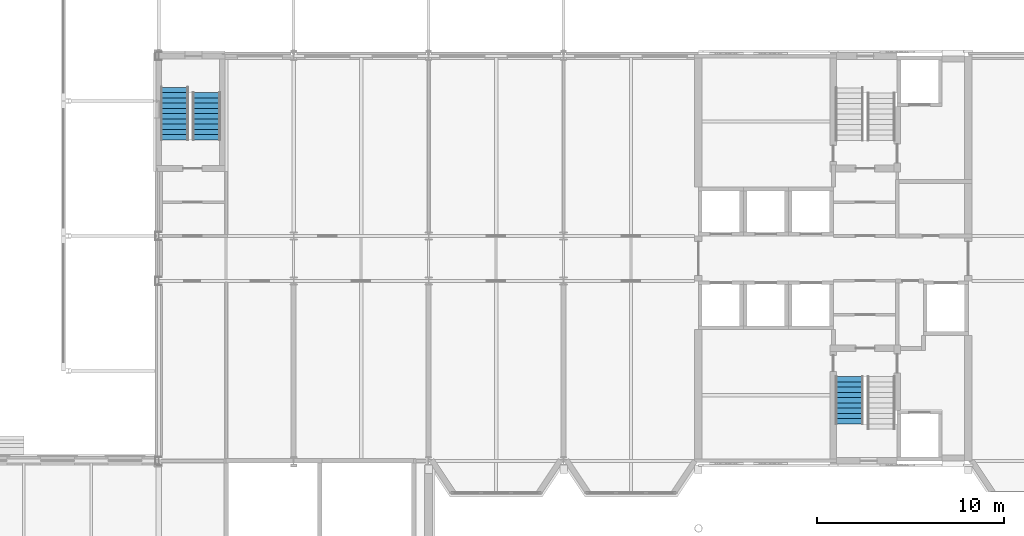
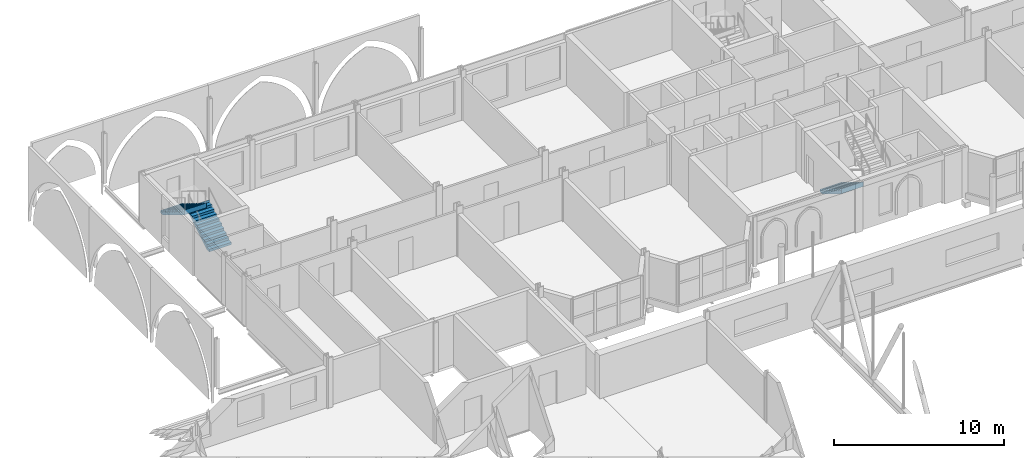
# One storey, part 106 of 142: 3 stair flights, 2 elements without a shape of their own.
"""IFC4 building model written with IfcOpenShell, lengths in metres."""

import ifcopenshell
import ifcopenshell.guid

model = None  # the IFC model being written
_history = None  # IfcOwnerHistory: only IFC2X3 demands one
_inside = {}  # id of a spatial element -> (the spatial element, [elements in it])
_under = {}  # id of a project, library or spatial element -> (it, [spatial elements below it])
_declared = {}  # id of a project -> (the project, [libraries it declares])
_typed = {}  # id of a type object -> (the type object, [elements of that type])
_made_of = {}  # id of a material, layer set ... -> (it, [elements and type objects made of it])


def new_model(schema):
    """Start an empty IFC model of exactly this schema.

    Asked for "IFC4X3", IfcOpenShell would pick the latest addendum, in which some entities
    have other attributes; the version numbers below select the first issue.
    IFC2X3 requires an IfcOwnerHistory on every rooted entity: one is made here for all.
    """
    global model, _history
    if schema == "IFC4X3":
        model = ifcopenshell.file(schema_version=(4, 3, 0, 0))
    else:
        model = ifcopenshell.file(schema=schema)
    _inside.clear()
    _under.clear()
    _declared.clear()
    _typed.clear()
    _made_of.clear()
    _history = None
    if model.schema == "IFC2X3":
        org = make("IfcOrganization", Name="unknown")
        user = make(
            "IfcPersonAndOrganization",
            ThePerson=make("IfcPerson", FamilyName="unknown"),
            TheOrganization=org,
        )
        app = make(
            "IfcApplication",
            ApplicationDeveloper=org,
            Version="unknown",
            ApplicationFullName="unknown",
            ApplicationIdentifier="unknown",
        )
        _history = make(
            "IfcOwnerHistory",
            OwningUser=user,
            OwningApplication=app,
            ChangeAction="ADDED",
            CreationDate=0,
        )
    return model


def make(cls, **values):
    """One entity of the class cls with the attributes given. An attribute that is None is left unset."""
    return model.create_entity(
        cls, **{name: value for name, value in values.items() if value is not None}
    )


def rooted(cls, **values):
    """An entity with a GlobalId (a new one), such as an element, a storey or a relation."""
    return make(cls, GlobalId=ifcopenshell.guid.new(), OwnerHistory=_history, **values)


def si_unit(unit_type, name, prefix=None):
    """IfcSIUnit, for example si_unit("LENGTHUNIT", "METRE", prefix="MILLI")."""
    return make("IfcSIUnit", UnitType=unit_type, Prefix=prefix, Name=name)


def assignment(units):
    """IfcUnitAssignment: the units of a project."""
    return None if units is None else make("IfcUnitAssignment", Units=units)


def point(xyz):
    """IfcCartesianPoint."""
    return None if xyz is None else make("IfcCartesianPoint", Coordinates=xyz)


def direction(xyz):
    """IfcDirection."""
    return None if xyz is None else make("IfcDirection", DirectionRatios=xyz)


def frame(location, z_axis=None, x_axis=None):
    """IfcAxis2Placement3D, a coordinate frame: its origin and axes. An axis left out is left unset."""
    return make(
        "IfcAxis2Placement3D",
        Location=point(location),
        Axis=direction(z_axis),
        RefDirection=direction(x_axis),
    )


def origin():
    """The frame at (0, 0, 0) with its axes left unset."""
    return frame((0.0, 0.0, 0.0))


def place(relative_to, where):
    """IfcLocalPlacement: puts the frame where relative to a parent placement (None: the world)."""
    return make(
        "IfcLocalPlacement", PlacementRelTo=relative_to, RelativePlacement=where
    )


def context(
    kind, dimensions, precision=None, world=None, true_north=None, identifier=None
):
    """IfcGeometricRepresentationContext, for example the 3D "Model" context."""
    return make(
        "IfcGeometricRepresentationContext",
        ContextIdentifier=identifier,
        ContextType=kind,
        CoordinateSpaceDimension=dimensions,
        Precision=precision,
        WorldCoordinateSystem=world,
        TrueNorth=true_north,
    )


def subcontext(parent, identifier, kind, view, scale=None):
    """IfcGeometricRepresentationSubContext, for example "Body" below "Model"."""
    return make(
        "IfcGeometricRepresentationSubContext",
        ContextIdentifier=identifier,
        ContextType=kind,
        ParentContext=parent,
        TargetScale=scale,
        TargetView=view,
    )


def project(units=None, contexts=None):
    """IfcProject with its units and contexts."""
    return rooted(
        "IfcProject",
        Name="project",
        RepresentationContexts=contexts,
        UnitsInContext=assignment(units),
    )


def spatial(cls, under=None, at=None, **own):
    """A site, building, storey or space (cls), placed at a placement, below another one or the project."""
    s = rooted(cls, ObjectPlacement=at, **own)
    if under is not None:
        _under.setdefault(under.id(), (under, []))[1].append(s)
    return s


def polyline(points):
    """IfcPolyline through the points."""
    return make("IfcPolyline", Points=[point(p) for p in points])


def outline(outer, holes=None, kind="AREA"):
    """IfcArbitraryClosedProfileDef: a profile drawn as a closed curve; with holes, ...WithVoids."""
    if holes is None:
        return make("IfcArbitraryClosedProfileDef", ProfileType=kind, OuterCurve=outer)
    return make(
        "IfcArbitraryProfileDefWithVoids",
        ProfileType=kind,
        OuterCurve=outer,
        InnerCurves=holes,
    )


def extrude(swept, where, along, depth):
    """IfcExtrudedAreaSolid: the profile swept, set in the frame where, extruded along a direction by depth."""
    return make(
        "IfcExtrudedAreaSolid",
        SweptArea=swept,
        Position=where,
        ExtrudedDirection=direction(along),
        Depth=depth,
    )


def shape(context_of_items, identifier, shape_type, items):
    """IfcShapeRepresentation: the items that make up one representation, for example the "Body"."""
    return make(
        "IfcShapeRepresentation",
        ContextOfItems=context_of_items,
        RepresentationIdentifier=identifier,
        RepresentationType=shape_type,
        Items=items,
    )


def material(Name=None, Category=None):
    """IfcMaterial."""
    return make("IfcMaterial", Name=Name, Category=Category)


def made_of(thing, what):
    """Note that an element or type object is made of a material, layer set ...; save() writes the relation."""
    if what is not None:
        _made_of.setdefault(what.id(), (what, []))[1].append(thing)
    return thing


def type_object(cls, material=None, **own):
    """A type object (cls), such as IfcWallType, which elements share."""
    return made_of(rooted(cls, **own), material)


def element(
    cls,
    number,
    at=None,
    inside=None,
    cuts=None,
    type_object=None,
    material=None,
    context=None,
    identifier="Body",
    shape_type=None,
    held_by="IfcProductDefinitionShape",
    body=None,
    shapes=None,
    **own,
):
    """One element of the class cls, such as IfcWall. Its Tag is "e" and its number.

    at: its placement. inside: the storey or other place that contains it. cuts: it is an
    opening in that element (IfcRelVoidsElement). A single representation is given by context,
    identifier, shape_type and body (its items); several are given by shapes. held_by: the class
    of the entity that holds the representations. save() writes the other relations.
    """
    e = rooted(cls, Tag="e%d" % number, ObjectPlacement=at, **own)
    if body is not None:
        shapes = [shape(context, identifier, shape_type, body)]
    if shapes is not None:
        e.Representation = make(held_by, Representations=shapes)
    if inside is not None:
        _inside.setdefault(inside.id(), (inside, []))[1].append(e)
    if cuts is not None:
        rooted(
            "IfcRelVoidsElement", RelatingBuildingElement=cuts, RelatedOpeningElement=e
        )
    if type_object is not None:
        _typed.setdefault(type_object.id(), (type_object, []))[1].append(e)
    return made_of(e, material)


def aggregate(whole, parts):
    """IfcRelAggregates: a whole, such as a stair, and the parts it consists of."""
    return rooted("IfcRelAggregates", RelatingObject=whole, RelatedObjects=parts)


def save(model, path):
    """Write the relations noted so far, then the file.

    IfcRelAggregates (storeys below a building ...), IfcRelContainedInSpatialStructure (elements
    in a storey), IfcRelDefinesByType, IfcRelAssociatesMaterial and IfcRelDeclares: one each for
    every whole, place, type object, material and project.
    """
    for whole, parts in _under.values():
        aggregate(whole, parts)
    for where, things in _inside.values():
        rooted(
            "IfcRelContainedInSpatialStructure",
            RelatedElements=things,
            RelatingStructure=where,
        )
    for kind, things in _typed.values():
        rooted("IfcRelDefinesByType", RelatedObjects=things, RelatingType=kind)
    for what, things in _made_of.values():
        rooted("IfcRelAssociatesMaterial", RelatedObjects=things, RelatingMaterial=what)
    for by, libraries in _declared.values():
        rooted("IfcRelDeclares", RelatingContext=by, RelatedDefinitions=libraries)
    model.write(path)


model = new_model("IFC4")

# Units and contexts
model_context = context("Model", 3, precision=1e-05, world=origin(), true_north=direction((0.0, 1.0)))
body_context = subcontext(model_context, "Body", "Model", "MODEL_VIEW")
ifc_project = project(units=[si_unit("LENGTHUNIT", "METRE"), si_unit("AREAUNIT", "SQUARE_METRE"), si_unit("VOLUMEUNIT", "CUBIC_METRE"), si_unit("PLANEANGLEUNIT", "RADIAN"), si_unit("MASSUNIT", "GRAM", prefix="KILO")], contexts=[model_context])

# Site, building, storey
site_placement = place(None, origin())
site = spatial("IfcSite", under=ifc_project, at=site_placement, CompositionType="ELEMENT")
building_placement = place(site_placement, origin())
building = spatial("IfcBuilding", under=site, at=building_placement, Name="Kupolbacken Congress Centre", CompositionType="ELEMENT")
storey_placement = place(building_placement, frame((0.0, 0.0, 14.39990234375)))
storey = spatial("IfcBuildingStorey", under=building, at=storey_placement, Name="L04", CompositionType="ELEMENT", Elevation=14.39990234375)

# Stair, stair flight
ifc_material_1 = material(Name="Steel S355", Category="steel")
stair_type = type_object("IfcStairType", Name="ST2 stair 1500", PredefinedType="TWO_STRAIGHT_RUN_STAIR", material=ifc_material_1)
stair_1_placement = place(storey_placement, origin())
stair_1 = element("IfcStair", 1, at=stair_1_placement, inside=storey, type_object=stair_type, Name="C/stair/TS1/L04", PredefinedType="NOTDEFINED")
ifc_material_2 = material(Name="Steel S355", Category="steel")
stair_flight_type_1 = type_object("IfcStairFlightType", Name="FL3 stair flight 1500 x 10 risers", PredefinedType="STRAIGHT", material=ifc_material_2)
stair_flight_1_placement = place(storey_placement, frame((101.64990234375, 126.89501953125, 0.0), z_axis=(0.0, 0.0, 1.0), x_axis=(0.0, -1.0, 0.0)))
stair_flight_1 = element("IfcStairFlight", 2, at=stair_flight_1_placement, type_object=stair_flight_type_1, Name="TS1 flight 1", NumberOfRisers=10, NumberOfTreads=9, PredefinedType="STRAIGHT", RiserHeight=0.171428571, TreadLength=0.28, context=body_context, shape_type="SweptSolid", body=[
    extrude(outline(polyline([(0.0, 0.0), (0.0, 0.0009765625), (0.0, 0.002197265625), (0.0, 0.003173828125), (0.0, 0.004150390625), (0.0, 0.00537109375), (0.0, 0.00634765625), (0.0, 0.007568359375), (0.0, 0.008544921875), (0.0, 0.009521484375), (0.0, 0.0107421875), (0.0, 0.01171875), (0.0, 0.0126953125), (0.0, 0.013916015625), (0.0, 0.014892578125), (0.0, 0.015869140625), (0.0, 0.01708984375), (0.0, 0.01806640625), (0.0, 0.019287109375), (0.0, 0.020263671875), (0.0, 0.021240234375), (0.0, 0.0224609375), (0.0, 0.0234375), (0.0, 0.0244140625), (0.0, 0.025634765625), (0.0, 0.026611328125), (0.0, 0.027587890625), (0.0, 0.02880859375), (0.0, 0.02978515625), (0.0, 0.03076171875), (0.0, 0.031982421875), (0.0, 0.032958984375), (0.0, 0.0341796875), (0.0, 0.03515625), (0.0, 0.0361328125), (0.0, 0.037353515625), (0.0, 0.038330078125), (0.0, 0.039306640625), (0.0, 0.04052734375), (0.0, 0.04150390625), (0.0, 0.04248046875), (0.0, 0.043701171875), (0.0, 0.044677734375), (0.0, 0.0458984375), (0.0, 0.046875), (0.0, 0.0478515625), (0.0, 0.049072265625), (0.0, 0.050048828125), (0.0, 0.051025390625), (0.0, 0.05224609375), (0.0, 0.05322265625), (0.0, 0.05419921875), (0.0, 0.055419921875), (0.0, 0.056396484375), (0.0, 0.0576171875), (0.0, 0.05859375), (0.0, 0.0595703125), (0.0, 0.060791015625), (0.0, 0.061767578125), (0.0, 0.062744140625), (0.0, 0.06396484375), (0.0, 0.06494140625), (0.0, 0.06591796875), (0.0, 0.067138671875), (0.0, 0.068115234375), (0.0, 0.069091796875), (0.0, 0.0703125), (0.0, 0.0712890625), (0.0, 0.072509765625), (0.0, 0.073486328125), (0.0, 0.074462890625), (0.0, 0.07568359375), (0.0, 0.07666015625), (0.0, 0.07763671875), (0.0, 0.078857421875), (0.0, 0.079833984375), (0.0, 0.080810546875), (0.0, 0.08203125), (0.0, 0.0830078125), (0.0, 0.084228515625), (0.0, 0.085205078125), (0.0, 0.086181640625), (0.0, 0.08740234375), (0.0, 0.08837890625), (0.0, 0.08935546875), (0.0, 0.090576171875), (0.0, 0.091552734375), (0.0, 0.092529296875), (0.0, 0.09375), (0.0, 0.0947265625), (0.0, 0.095947265625), (0.0, 0.096923828125), (0.0, 0.097900390625), (0.0, 0.09912109375), (0.0, 0.10009765625), (0.0, 0.10107421875), (0.0, 0.102294921875), (0.0, 0.103271484375), (0.0, 0.104248046875), (0.0, 0.10546875), (0.0, 0.1064453125), (0.0, 0.107421875), (0.0, 0.108642578125), (0.0, 0.109619140625), (0.0, 0.11083984375), (0.0, 0.11181640625), (0.0, 0.11279296875), (0.0, 0.114013671875), (0.0, 0.114990234375), (0.0, 0.115966796875), (0.0, 0.1171875), (0.0, 0.1181640625), (0.0, 0.119140625), (0.0, 0.120361328125), (0.0, 0.121337890625), (0.0, 0.12255859375), (0.0, 0.12353515625), (0.0, 0.12451171875), (0.0, 0.125732421875), (0.0, 0.126708984375), (0.0, 0.127685546875), (0.0, 0.12890625), (0.0, 0.1298828125), (0.0, 0.130859375), (0.0, 0.132080078125), (0.0, 0.133056640625), (0.0, 0.13427734375), (0.0, 0.13525390625), (0.0, 0.13623046875), (0.0, 0.137451171875), (0.0, 0.138427734375), (0.0, 0.139404296875), (0.0, 0.140625), (0.0, 0.1416015625), (0.0, 0.142578125), (0.0, 0.143798828125), (0.0, 0.144775390625), (0.0, 0.145751953125), (0.0, 0.14697265625), (0.0, 0.14794921875), (0.0, 0.149169921875), (0.0, 0.150146484375), (0.0, 0.151123046875), (0.0, 0.15234375), (0.0, 0.1533203125), (0.0, 0.154296875), (0.0, 0.155517578125), (0.0, 0.156494140625), (0.0, 0.157470703125), (0.0, 0.15869140625), (0.0, 0.15966796875), (0.0, 0.160888671875), (0.0, 0.161865234375), (0.0, 0.162841796875), (0.0, 0.1640625), (0.0, 0.1650390625), (0.0, 0.166015625), (0.0, 0.167236328125), (0.0, 0.168212890625), (0.0, 0.169189453125), (0.0, 0.17041015625), (0.0, 0.17138671875), (0.280029296875, 0.17138671875), (0.280029296875, 0.3427734375), (0.56005859375, 0.3427734375), (0.56005859375, 0.514404296875), (0.840087890625, 0.514404296875), (0.840087890625, 0.685791015625), (1.1201171875, 0.685791015625), (1.1201171875, 0.857177734375), (1.39990234375, 0.857177734375), (1.39990234375, 1.028564453125), (1.679931640625, 1.028564453125), (1.679931640625, 1.199951171875), (1.9599609375, 1.199951171875), (1.9599609375, 1.371337890625), (2.239990234375, 1.371337890625), (2.239990234375, 1.54296875), (2.52001953125, 1.54296875), (2.52001953125, 1.71435546875), (2.52197265625, 1.71435546875), (2.52197265625, 1.712158203125), (2.52197265625, 1.7099609375), (2.52197265625, 1.707763671875), (2.52197265625, 1.70556640625), (2.52197265625, 1.70361328125), (2.52197265625, 1.701416015625), (2.52197265625, 1.69921875), (2.52197265625, 1.697021484375), (2.52197265625, 1.69482421875), (2.52197265625, 1.692626953125), (2.52197265625, 1.690673828125), (2.52197265625, 1.6884765625), (2.52197265625, 1.686279296875), (2.52197265625, 1.68408203125), (2.52197265625, 1.681884765625), (2.52197265625, 1.6796875), (2.52197265625, 1.677734375), (2.52197265625, 1.675537109375), (2.52197265625, 1.67333984375), (2.52197265625, 1.671142578125), (2.52197265625, 1.6689453125), (2.52197265625, 1.666748046875), (2.52197265625, 1.664794921875), (2.52197265625, 1.66259765625), (2.52197265625, 1.660400390625), (2.52197265625, 1.658203125), (2.52197265625, 1.656005859375), (2.52197265625, 1.65380859375), (2.52197265625, 1.65185546875), (2.52197265625, 1.649658203125), (2.52197265625, 1.6474609375), (2.52197265625, 1.645263671875), (2.52197265625, 1.64306640625), (2.52197265625, 1.640869140625), (2.52197265625, 1.638916015625), (2.52197265625, 1.63671875), (2.52197265625, 1.634521484375), (2.52197265625, 1.63232421875), (2.52197265625, 1.630126953125), (2.52197265625, 1.6279296875), (2.52197265625, 1.6259765625), (2.52197265625, 1.623779296875), (2.52197265625, 1.62158203125), (2.52197265625, 1.619384765625), (2.52197265625, 1.6171875), (2.52197265625, 1.614990234375), (2.52197265625, 1.613037109375), (2.52197265625, 1.61083984375), (2.52197265625, 1.608642578125), (2.52197265625, 1.6064453125), (2.52197265625, 1.604248046875), (2.52197265625, 1.60205078125), (2.52197265625, 1.60009765625), (2.52197265625, 1.597900390625), (2.52197265625, 1.595703125), (2.52197265625, 1.593505859375), (2.52197265625, 1.59130859375), (2.52197265625, 1.589111328125), (2.52197265625, 1.587158203125), (2.52197265625, 1.5849609375), (2.52197265625, 1.582763671875), (2.52197265625, 1.58056640625), (2.52197265625, 1.578369140625), (2.52197265625, 1.576171875), (2.52197265625, 1.57421875), (2.52197265625, 1.572021484375), (2.52197265625, 1.56982421875), (2.52197265625, 1.567626953125), (2.52197265625, 1.5654296875), (2.52197265625, 1.563232421875), (2.52197265625, 1.561279296875), (2.52197265625, 1.55908203125), (2.52197265625, 1.556884765625), (2.52197265625, 1.5546875), (2.52197265625, 1.552490234375), (2.52197265625, 1.55029296875), (2.52197265625, 1.54833984375), (2.52197265625, 1.546142578125), (2.52197265625, 1.5439453125), (2.52197265625, 1.541748046875), (2.52197265625, 1.53955078125), (2.52197265625, 1.537353515625), (2.52197265625, 1.535400390625), (2.52197265625, 1.533203125), (2.52197265625, 1.531005859375), (2.52197265625, 1.52880859375), (2.52197265625, 1.526611328125), (2.52197265625, 1.5244140625), (2.52197265625, 1.5224609375), (2.52197265625, 1.520263671875), (2.52197265625, 1.51806640625), (2.52197265625, 1.515869140625), (2.52197265625, 1.513671875), (2.52197265625, 1.511474609375), (2.52197265625, 1.509521484375), (2.52197265625, 1.50732421875), (2.52197265625, 1.505126953125), (2.52197265625, 1.5029296875), (2.52197265625, 1.500732421875), (2.52197265625, 1.49853515625), (2.52197265625, 1.49658203125), (2.52197265625, 1.494384765625), (2.52197265625, 1.4921875), (2.52197265625, 1.489990234375), (2.52197265625, 1.48779296875), (2.52197265625, 1.485595703125), (2.52197265625, 1.483642578125), (2.52197265625, 1.4814453125), (2.52197265625, 1.479248046875), (2.52197265625, 1.47705078125), (2.52197265625, 1.474853515625), (2.52197265625, 1.47265625), (2.52197265625, 1.470703125), (2.52197265625, 1.468505859375), (2.52197265625, 1.46630859375), (2.52197265625, 1.464111328125), (2.52197265625, 1.4619140625), (2.52197265625, 1.459716796875), (2.52197265625, 1.457763671875), (2.52197265625, 1.45556640625), (2.52197265625, 1.453369140625), (2.52197265625, 1.451171875), (2.52197265625, 1.448974609375), (2.52197265625, 1.44677734375), (2.52197265625, 1.44482421875), (2.52197265625, 1.442626953125), (2.52197265625, 1.4404296875), (2.52197265625, 1.438232421875), (2.52197265625, 1.43603515625), (2.52197265625, 1.433837890625), (2.52197265625, 1.431884765625), (2.52197265625, 1.4296875), (2.52197265625, 1.427490234375), (2.52197265625, 1.42529296875), (2.52197265625, 1.423095703125), (2.52197265625, 1.4208984375), (2.52197265625, 1.4189453125), (2.52197265625, 1.416748046875), (2.52197265625, 1.41455078125), (2.52197265625, 1.412353515625), (2.52197265625, 1.41015625), (2.52197265625, 1.407958984375), (2.52197265625, 1.406005859375), (2.52197265625, 1.40380859375), (2.52197265625, 1.401611328125), (2.52197265625, 1.3994140625), (2.52197265625, 1.397216796875), (2.52197265625, 1.39501953125), (2.52197265625, 1.39306640625), (2.52197265625, 1.390869140625), (2.52197265625, 1.388671875), (2.52197265625, 1.386474609375), (2.52197265625, 1.38427734375), (2.52197265625, 1.382080078125), (2.52197265625, 1.380126953125), (2.52197265625, 1.3779296875), (2.52197265625, 1.375732421875), (2.52197265625, 1.37353515625), (2.52197265625, 1.371337890625), (2.52197265625, 1.369140625), (2.52197265625, 1.3671875), (0.2890625, 0.0), (0.0, 0.0)])), frame((0.0, 0.75, 0.0), z_axis=(0.0, -1.0, 0.0), x_axis=(1.0, 0.0, 0.0)), (0.0, 0.0, 1.0), 1.5),
])
aggregate(stair_1, [stair_flight_1])

# Stair, stair flights
stair_2_placement = place(storey_placement, origin())
stair_2 = element("IfcStair", 3, at=stair_2_placement, inside=storey, type_object=stair_type, Name="C/stair/TS3/L04", PredefinedType="NOTDEFINED")
stair_flight_2_placement = place(storey_placement, frame((67.35009765625, 139.530029296875, 0.0), z_axis=(0.0, 0.0, 1.0), x_axis=(0.0, 1.0, 0.0)))
stair_flight_2 = element("IfcStairFlight", 4, at=stair_flight_2_placement, type_object=stair_flight_type_1, Name="TS3 flight 1", NumberOfRisers=10, NumberOfTreads=9, PredefinedType="STRAIGHT", RiserHeight=0.171428571, TreadLength=0.28, context=body_context, shape_type="SweptSolid", body=[
    extrude(outline(polyline([(0.0, 0.0), (0.0, 0.0009765625), (0.0, 0.002197265625), (0.0, 0.003173828125), (0.0, 0.004150390625), (0.0, 0.00537109375), (0.0, 0.00634765625), (0.0, 0.007568359375), (0.0, 0.008544921875), (0.0, 0.009521484375), (0.0, 0.0107421875), (0.0, 0.01171875), (0.0, 0.0126953125), (0.0, 0.013916015625), (0.0, 0.014892578125), (0.0, 0.015869140625), (0.0, 0.01708984375), (0.0, 0.01806640625), (0.0, 0.019287109375), (0.0, 0.020263671875), (0.0, 0.021240234375), (0.0, 0.0224609375), (0.0, 0.0234375), (0.0, 0.0244140625), (0.0, 0.025634765625), (0.0, 0.026611328125), (0.0, 0.027587890625), (0.0, 0.02880859375), (0.0, 0.02978515625), (0.0, 0.03076171875), (0.0, 0.031982421875), (0.0, 0.032958984375), (0.0, 0.0341796875), (0.0, 0.03515625), (0.0, 0.0361328125), (0.0, 0.037353515625), (0.0, 0.038330078125), (0.0, 0.039306640625), (0.0, 0.04052734375), (0.0, 0.04150390625), (0.0, 0.04248046875), (0.0, 0.043701171875), (0.0, 0.044677734375), (0.0, 0.0458984375), (0.0, 0.046875), (0.0, 0.0478515625), (0.0, 0.049072265625), (0.0, 0.050048828125), (0.0, 0.051025390625), (0.0, 0.05224609375), (0.0, 0.05322265625), (0.0, 0.05419921875), (0.0, 0.055419921875), (0.0, 0.056396484375), (0.0, 0.0576171875), (0.0, 0.05859375), (0.0, 0.0595703125), (0.0, 0.060791015625), (0.0, 0.061767578125), (0.0, 0.062744140625), (0.0, 0.06396484375), (0.0, 0.06494140625), (0.0, 0.06591796875), (0.0, 0.067138671875), (0.0, 0.068115234375), (0.0, 0.069091796875), (0.0, 0.0703125), (0.0, 0.0712890625), (0.0, 0.072509765625), (0.0, 0.073486328125), (0.0, 0.074462890625), (0.0, 0.07568359375), (0.0, 0.07666015625), (0.0, 0.07763671875), (0.0, 0.078857421875), (0.0, 0.079833984375), (0.0, 0.080810546875), (0.0, 0.08203125), (0.0, 0.0830078125), (0.0, 0.084228515625), (0.0, 0.085205078125), (0.0, 0.086181640625), (0.0, 0.08740234375), (0.0, 0.08837890625), (0.0, 0.08935546875), (0.0, 0.090576171875), (0.0, 0.091552734375), (0.0, 0.092529296875), (0.0, 0.09375), (0.0, 0.0947265625), (0.0, 0.095947265625), (0.0, 0.096923828125), (0.0, 0.097900390625), (0.0, 0.09912109375), (0.0, 0.10009765625), (0.0, 0.10107421875), (0.0, 0.102294921875), (0.0, 0.103271484375), (0.0, 0.104248046875), (0.0, 0.10546875), (0.0, 0.1064453125), (0.0, 0.107421875), (0.0, 0.108642578125), (0.0, 0.109619140625), (0.0, 0.11083984375), (0.0, 0.11181640625), (0.0, 0.11279296875), (0.0, 0.114013671875), (0.0, 0.114990234375), (0.0, 0.115966796875), (0.0, 0.1171875), (0.0, 0.1181640625), (0.0, 0.119140625), (0.0, 0.120361328125), (0.0, 0.121337890625), (0.0, 0.12255859375), (0.0, 0.12353515625), (0.0, 0.12451171875), (0.0, 0.125732421875), (0.0, 0.126708984375), (0.0, 0.127685546875), (0.0, 0.12890625), (0.0, 0.1298828125), (0.0, 0.130859375), (0.0, 0.132080078125), (0.0, 0.133056640625), (0.0, 0.13427734375), (0.0, 0.13525390625), (0.0, 0.13623046875), (0.0, 0.137451171875), (0.0, 0.138427734375), (0.0, 0.139404296875), (0.0, 0.140625), (0.0, 0.1416015625), (0.0, 0.142578125), (0.0, 0.143798828125), (0.0, 0.144775390625), (0.0, 0.145751953125), (0.0, 0.14697265625), (0.0, 0.14794921875), (0.0, 0.149169921875), (0.0, 0.150146484375), (0.0, 0.151123046875), (0.0, 0.15234375), (0.0, 0.1533203125), (0.0, 0.154296875), (0.0, 0.155517578125), (0.0, 0.156494140625), (0.0, 0.157470703125), (0.0, 0.15869140625), (0.0, 0.15966796875), (0.0, 0.160888671875), (0.0, 0.161865234375), (0.0, 0.162841796875), (0.0, 0.1640625), (0.0, 0.1650390625), (0.0, 0.166015625), (0.0, 0.167236328125), (0.0, 0.168212890625), (0.0, 0.169189453125), (0.0, 0.17041015625), (0.0, 0.17138671875), (0.280029296875, 0.17138671875), (0.280029296875, 0.3427734375), (0.56005859375, 0.3427734375), (0.56005859375, 0.514404296875), (0.840087890625, 0.514404296875), (0.840087890625, 0.685791015625), (1.1201171875, 0.685791015625), (1.1201171875, 0.857177734375), (1.39990234375, 0.857177734375), (1.39990234375, 1.028564453125), (1.679931640625, 1.028564453125), (1.679931640625, 1.199951171875), (1.9599609375, 1.199951171875), (1.9599609375, 1.371337890625), (2.239990234375, 1.371337890625), (2.239990234375, 1.54296875), (2.52001953125, 1.54296875), (2.52001953125, 1.71435546875), (2.52197265625, 1.71435546875), (2.52197265625, 1.712158203125), (2.52197265625, 1.7099609375), (2.52197265625, 1.707763671875), (2.52197265625, 1.70556640625), (2.52197265625, 1.70361328125), (2.52197265625, 1.701416015625), (2.52197265625, 1.69921875), (2.52197265625, 1.697021484375), (2.52197265625, 1.69482421875), (2.52197265625, 1.692626953125), (2.52197265625, 1.690673828125), (2.52197265625, 1.6884765625), (2.52197265625, 1.686279296875), (2.52197265625, 1.68408203125), (2.52197265625, 1.681884765625), (2.52197265625, 1.6796875), (2.52197265625, 1.677734375), (2.52197265625, 1.675537109375), (2.52197265625, 1.67333984375), (2.52197265625, 1.671142578125), (2.52197265625, 1.6689453125), (2.52197265625, 1.666748046875), (2.52197265625, 1.664794921875), (2.52197265625, 1.66259765625), (2.52197265625, 1.660400390625), (2.52197265625, 1.658203125), (2.52197265625, 1.656005859375), (2.52197265625, 1.65380859375), (2.52197265625, 1.65185546875), (2.52197265625, 1.649658203125), (2.52197265625, 1.6474609375), (2.52197265625, 1.645263671875), (2.52197265625, 1.64306640625), (2.52197265625, 1.640869140625), (2.52197265625, 1.638916015625), (2.52197265625, 1.63671875), (2.52197265625, 1.634521484375), (2.52197265625, 1.63232421875), (2.52197265625, 1.630126953125), (2.52197265625, 1.6279296875), (2.52197265625, 1.6259765625), (2.52197265625, 1.623779296875), (2.52197265625, 1.62158203125), (2.52197265625, 1.619384765625), (2.52197265625, 1.6171875), (2.52197265625, 1.614990234375), (2.52197265625, 1.613037109375), (2.52197265625, 1.61083984375), (2.52197265625, 1.608642578125), (2.52197265625, 1.6064453125), (2.52197265625, 1.604248046875), (2.52197265625, 1.60205078125), (2.52197265625, 1.60009765625), (2.52197265625, 1.597900390625), (2.52197265625, 1.595703125), (2.52197265625, 1.593505859375), (2.52197265625, 1.59130859375), (2.52197265625, 1.589111328125), (2.52197265625, 1.587158203125), (2.52197265625, 1.5849609375), (2.52197265625, 1.582763671875), (2.52197265625, 1.58056640625), (2.52197265625, 1.578369140625), (2.52197265625, 1.576171875), (2.52197265625, 1.57421875), (2.52197265625, 1.572021484375), (2.52197265625, 1.56982421875), (2.52197265625, 1.567626953125), (2.52197265625, 1.5654296875), (2.52197265625, 1.563232421875), (2.52197265625, 1.561279296875), (2.52197265625, 1.55908203125), (2.52197265625, 1.556884765625), (2.52197265625, 1.5546875), (2.52197265625, 1.552490234375), (2.52197265625, 1.55029296875), (2.52197265625, 1.54833984375), (2.52197265625, 1.546142578125), (2.52197265625, 1.5439453125), (2.52197265625, 1.541748046875), (2.52197265625, 1.53955078125), (2.52197265625, 1.537353515625), (2.52197265625, 1.535400390625), (2.52197265625, 1.533203125), (2.52197265625, 1.531005859375), (2.52197265625, 1.52880859375), (2.52197265625, 1.526611328125), (2.52197265625, 1.5244140625), (2.52197265625, 1.5224609375), (2.52197265625, 1.520263671875), (2.52197265625, 1.51806640625), (2.52197265625, 1.515869140625), (2.52197265625, 1.513671875), (2.52197265625, 1.511474609375), (2.52197265625, 1.509521484375), (2.52197265625, 1.50732421875), (2.52197265625, 1.505126953125), (2.52197265625, 1.5029296875), (2.52197265625, 1.500732421875), (2.52197265625, 1.49853515625), (2.52197265625, 1.49658203125), (2.52197265625, 1.494384765625), (2.52197265625, 1.4921875), (2.52197265625, 1.489990234375), (2.52197265625, 1.48779296875), (2.52197265625, 1.485595703125), (2.52197265625, 1.483642578125), (2.52197265625, 1.4814453125), (2.52197265625, 1.479248046875), (2.52197265625, 1.47705078125), (2.52197265625, 1.474853515625), (2.52197265625, 1.47265625), (2.52197265625, 1.470703125), (2.52197265625, 1.468505859375), (2.52197265625, 1.46630859375), (2.52197265625, 1.464111328125), (2.52197265625, 1.4619140625), (2.52197265625, 1.459716796875), (2.52197265625, 1.457763671875), (2.52197265625, 1.45556640625), (2.52197265625, 1.453369140625), (2.52197265625, 1.451171875), (2.52197265625, 1.448974609375), (2.52197265625, 1.44677734375), (2.52197265625, 1.44482421875), (2.52197265625, 1.442626953125), (2.52197265625, 1.4404296875), (2.52197265625, 1.438232421875), (2.52197265625, 1.43603515625), (2.52197265625, 1.433837890625), (2.52197265625, 1.431884765625), (2.52197265625, 1.4296875), (2.52197265625, 1.427490234375), (2.52197265625, 1.42529296875), (2.52197265625, 1.423095703125), (2.52197265625, 1.4208984375), (2.52197265625, 1.4189453125), (2.52197265625, 1.416748046875), (2.52197265625, 1.41455078125), (2.52197265625, 1.412353515625), (2.52197265625, 1.41015625), (2.52197265625, 1.407958984375), (2.52197265625, 1.406005859375), (2.52197265625, 1.40380859375), (2.52197265625, 1.401611328125), (2.52197265625, 1.3994140625), (2.52197265625, 1.397216796875), (2.52197265625, 1.39501953125), (2.52197265625, 1.39306640625), (2.52197265625, 1.390869140625), (2.52197265625, 1.388671875), (2.52197265625, 1.386474609375), (2.52197265625, 1.38427734375), (2.52197265625, 1.382080078125), (2.52197265625, 1.380126953125), (2.52197265625, 1.3779296875), (2.52197265625, 1.375732421875), (2.52197265625, 1.37353515625), (2.52197265625, 1.371337890625), (2.52197265625, 1.369140625), (2.52197265625, 1.3671875), (0.2890625, 0.0), (0.0, 0.0)])), frame((0.0, 0.75, 0.0), z_axis=(0.0, -1.0, 0.0), x_axis=(1.0, 0.0, 0.0)), (0.0, 0.0, 1.0), 1.5),
])
ifc_material_3 = material(Name="Steel S355", Category="steel")
stair_flight_type_2 = type_object("IfcStairFlightType", Name="FL4 stair flight 1500 x 11 risers", PredefinedType="STRAIGHT", material=ifc_material_3)
stair_flight_3_placement = place(storey_placement, frame((65.64990234375, 142.330078125, 1.71435546875), z_axis=(0.0, 0.0, 1.0), x_axis=(0.0, -1.0, 0.0)))
stair_flight_3 = element("IfcStairFlight", 5, at=stair_flight_3_placement, type_object=stair_flight_type_2, Name="TS3 flight 2", NumberOfRisers=11, NumberOfTreads=10, PredefinedType="STRAIGHT", RiserHeight=0.171428571, TreadLength=0.28, context=body_context, shape_type="SweptSolid", body=[
    extrude(outline(polyline([(0.0, 0.0), (0.0, 0.0009765625), (0.0, 0.002197265625), (0.0, 0.003173828125), (0.0, 0.004150390625), (0.0, 0.00537109375), (0.0, 0.00634765625), (0.0, 0.007568359375), (0.0, 0.008544921875), (0.0, 0.009521484375), (0.0, 0.0107421875), (0.0, 0.01171875), (0.0, 0.0126953125), (0.0, 0.013916015625), (0.0, 0.014892578125), (0.0, 0.015869140625), (0.0, 0.01708984375), (0.0, 0.01806640625), (0.0, 0.019287109375), (0.0, 0.020263671875), (0.0, 0.021240234375), (0.0, 0.0224609375), (0.0, 0.0234375), (0.0, 0.0244140625), (0.0, 0.025634765625), (0.0, 0.026611328125), (0.0, 0.027587890625), (0.0, 0.02880859375), (0.0, 0.02978515625), (0.0, 0.03076171875), (0.0, 0.031982421875), (0.0, 0.032958984375), (0.0, 0.0341796875), (0.0, 0.03515625), (0.0, 0.0361328125), (0.0, 0.037353515625), (0.0, 0.038330078125), (0.0, 0.039306640625), (0.0, 0.04052734375), (0.0, 0.04150390625), (0.0, 0.04248046875), (0.0, 0.043701171875), (0.0, 0.044677734375), (0.0, 0.0458984375), (0.0, 0.046875), (0.0, 0.0478515625), (0.0, 0.049072265625), (0.0, 0.050048828125), (0.0, 0.051025390625), (0.0, 0.05224609375), (0.0, 0.05322265625), (0.0, 0.05419921875), (0.0, 0.055419921875), (0.0, 0.056396484375), (0.0, 0.0576171875), (0.0, 0.05859375), (0.0, 0.0595703125), (0.0, 0.060791015625), (0.0, 0.061767578125), (0.0, 0.062744140625), (0.0, 0.06396484375), (0.0, 0.06494140625), (0.0, 0.06591796875), (0.0, 0.067138671875), (0.0, 0.068115234375), (0.0, 0.069091796875), (0.0, 0.0703125), (0.0, 0.0712890625), (0.0, 0.072509765625), (0.0, 0.073486328125), (0.0, 0.074462890625), (0.0, 0.07568359375), (0.0, 0.07666015625), (0.0, 0.07763671875), (0.0, 0.078857421875), (0.0, 0.079833984375), (0.0, 0.080810546875), (0.0, 0.08203125), (0.0, 0.0830078125), (0.0, 0.084228515625), (0.0, 0.085205078125), (0.0, 0.086181640625), (0.0, 0.08740234375), (0.0, 0.08837890625), (0.0, 0.08935546875), (0.0, 0.090576171875), (0.0, 0.091552734375), (0.0, 0.092529296875), (0.0, 0.09375), (0.0, 0.0947265625), (0.0, 0.095947265625), (0.0, 0.096923828125), (0.0, 0.097900390625), (0.0, 0.09912109375), (0.0, 0.10009765625), (0.0, 0.10107421875), (0.0, 0.102294921875), (0.0, 0.103271484375), (0.0, 0.104248046875), (0.0, 0.10546875), (0.0, 0.1064453125), (0.0, 0.107421875), (0.0, 0.108642578125), (0.0, 0.109619140625), (0.0, 0.11083984375), (0.0, 0.11181640625), (0.0, 0.11279296875), (0.0, 0.114013671875), (0.0, 0.114990234375), (0.0, 0.115966796875), (0.0, 0.1171875), (0.0, 0.1181640625), (0.0, 0.119140625), (0.0, 0.120361328125), (0.0, 0.121337890625), (0.0, 0.12255859375), (0.0, 0.12353515625), (0.0, 0.12451171875), (0.0, 0.125732421875), (0.0, 0.126708984375), (0.0, 0.127685546875), (0.0, 0.12890625), (0.0, 0.1298828125), (0.0, 0.130859375), (0.0, 0.132080078125), (0.0, 0.133056640625), (0.0, 0.13427734375), (0.0, 0.13525390625), (0.0, 0.13623046875), (0.0, 0.137451171875), (0.0, 0.138427734375), (0.0, 0.139404296875), (0.0, 0.140625), (0.0, 0.1416015625), (0.0, 0.142578125), (0.0, 0.143798828125), (0.0, 0.144775390625), (0.0, 0.145751953125), (0.0, 0.14697265625), (0.0, 0.14794921875), (0.0, 0.149169921875), (0.0, 0.150146484375), (0.0, 0.151123046875), (0.0, 0.15234375), (0.0, 0.1533203125), (0.0, 0.154296875), (0.0, 0.155517578125), (0.0, 0.156494140625), (0.0, 0.157470703125), (0.0, 0.15869140625), (0.0, 0.15966796875), (0.0, 0.160888671875), (0.0, 0.161865234375), (0.0, 0.162841796875), (0.0, 0.1640625), (0.0, 0.1650390625), (0.0, 0.166015625), (0.0, 0.167236328125), (0.0, 0.168212890625), (0.0, 0.169189453125), (0.0, 0.17041015625), (0.0, 0.17138671875), (0.280029296875, 0.17138671875), (0.280029296875, 0.3427734375), (0.56005859375, 0.3427734375), (0.56005859375, 0.514404296875), (0.840087890625, 0.514404296875), (0.840087890625, 0.685791015625), (1.1201171875, 0.685791015625), (1.1201171875, 0.857177734375), (1.39990234375, 0.857177734375), (1.39990234375, 1.028564453125), (1.679931640625, 1.028564453125), (1.679931640625, 1.199951171875), (1.9599609375, 1.199951171875), (1.9599609375, 1.371337890625), (2.239990234375, 1.371337890625), (2.239990234375, 1.54296875), (2.52001953125, 1.54296875), (2.52001953125, 1.71435546875), (2.800048828125, 1.71435546875), (2.800048828125, 1.8857421875), (2.802001953125, 1.8857421875), (2.802001953125, 1.883544921875), (2.802001953125, 1.88134765625), (2.802001953125, 1.879150390625), (2.802001953125, 1.877197265625), (2.802001953125, 1.875), (2.802001953125, 1.872802734375), (2.802001953125, 1.87060546875), (2.802001953125, 1.868408203125), (2.802001953125, 1.8662109375), (2.802001953125, 1.8642578125), (2.802001953125, 1.862060546875), (2.802001953125, 1.85986328125), (2.802001953125, 1.857666015625), (2.802001953125, 1.85546875), (2.802001953125, 1.853271484375), (2.802001953125, 1.851318359375), (2.802001953125, 1.84912109375), (2.802001953125, 1.846923828125), (2.802001953125, 1.8447265625), (2.802001953125, 1.842529296875), (2.802001953125, 1.84033203125), (2.802001953125, 1.83837890625), (2.802001953125, 1.836181640625), (2.802001953125, 1.833984375), (2.802001953125, 1.831787109375), (2.802001953125, 1.82958984375), (2.802001953125, 1.827392578125), (2.802001953125, 1.825439453125), (2.802001953125, 1.8232421875), (2.802001953125, 1.821044921875), (2.802001953125, 1.81884765625), (2.802001953125, 1.816650390625), (2.802001953125, 1.814453125), (2.802001953125, 1.8125), (2.802001953125, 1.810302734375), (2.802001953125, 1.80810546875), (2.802001953125, 1.805908203125), (2.802001953125, 1.8037109375), (2.802001953125, 1.801513671875), (2.802001953125, 1.799560546875), (2.802001953125, 1.79736328125), (2.802001953125, 1.795166015625), (2.802001953125, 1.79296875), (2.802001953125, 1.790771484375), (2.802001953125, 1.78857421875), (2.802001953125, 1.78662109375), (2.802001953125, 1.784423828125), (2.802001953125, 1.7822265625), (2.802001953125, 1.780029296875), (2.802001953125, 1.77783203125), (2.802001953125, 1.775634765625), (2.802001953125, 1.773681640625), (2.802001953125, 1.771484375), (2.802001953125, 1.769287109375), (2.802001953125, 1.76708984375), (2.802001953125, 1.764892578125), (2.802001953125, 1.7626953125), (2.802001953125, 1.7607421875), (2.802001953125, 1.758544921875), (2.802001953125, 1.75634765625), (2.802001953125, 1.754150390625), (2.802001953125, 1.751953125), (2.802001953125, 1.749755859375), (2.802001953125, 1.747802734375), (2.802001953125, 1.74560546875), (2.802001953125, 1.743408203125), (2.802001953125, 1.7412109375), (2.802001953125, 1.739013671875), (2.802001953125, 1.73681640625), (2.802001953125, 1.73486328125), (2.802001953125, 1.732666015625), (2.802001953125, 1.73046875), (2.802001953125, 1.728271484375), (2.802001953125, 1.72607421875), (2.802001953125, 1.723876953125), (2.802001953125, 1.721923828125), (2.802001953125, 1.7197265625), (2.802001953125, 1.717529296875), (2.802001953125, 1.71533203125), (2.802001953125, 1.713134765625), (2.802001953125, 1.7109375), (2.802001953125, 1.708984375), (2.802001953125, 1.706787109375), (2.802001953125, 1.70458984375), (2.802001953125, 1.702392578125), (2.802001953125, 1.7001953125), (2.802001953125, 1.697998046875), (2.802001953125, 1.696044921875), (2.802001953125, 1.69384765625), (2.802001953125, 1.691650390625), (2.802001953125, 1.689453125), (2.802001953125, 1.687255859375), (2.802001953125, 1.68505859375), (2.802001953125, 1.68310546875), (2.802001953125, 1.680908203125), (2.802001953125, 1.6787109375), (2.802001953125, 1.676513671875), (2.802001953125, 1.67431640625), (2.802001953125, 1.672119140625), (2.802001953125, 1.670166015625), (2.802001953125, 1.66796875), (2.802001953125, 1.665771484375), (2.802001953125, 1.66357421875), (2.802001953125, 1.661376953125), (2.802001953125, 1.6591796875), (2.802001953125, 1.6572265625), (2.802001953125, 1.655029296875), (2.802001953125, 1.65283203125), (2.802001953125, 1.650634765625), (2.802001953125, 1.6484375), (2.802001953125, 1.646240234375), (2.802001953125, 1.644287109375), (2.802001953125, 1.64208984375), (2.802001953125, 1.639892578125), (2.802001953125, 1.6376953125), (2.802001953125, 1.635498046875), (2.802001953125, 1.63330078125), (2.802001953125, 1.63134765625), (2.802001953125, 1.629150390625), (2.802001953125, 1.626953125), (2.802001953125, 1.624755859375), (2.802001953125, 1.62255859375), (2.802001953125, 1.620361328125), (2.802001953125, 1.618408203125), (2.802001953125, 1.6162109375), (2.802001953125, 1.614013671875), (2.802001953125, 1.61181640625), (2.802001953125, 1.609619140625), (2.802001953125, 1.607421875), (2.802001953125, 1.60546875), (2.802001953125, 1.603271484375), (2.802001953125, 1.60107421875), (2.802001953125, 1.598876953125), (2.802001953125, 1.5966796875), (2.802001953125, 1.594482421875), (2.802001953125, 1.592529296875), (2.802001953125, 1.59033203125), (2.802001953125, 1.588134765625), (2.802001953125, 1.5859375), (2.802001953125, 1.583740234375), (2.802001953125, 1.58154296875), (2.802001953125, 1.57958984375), (2.802001953125, 1.577392578125), (2.802001953125, 1.5751953125), (2.802001953125, 1.572998046875), (2.802001953125, 1.57080078125), (2.802001953125, 1.568603515625), (2.802001953125, 1.566650390625), (2.802001953125, 1.564453125), (2.802001953125, 1.562255859375), (2.802001953125, 1.56005859375), (2.802001953125, 1.557861328125), (2.802001953125, 1.5556640625), (2.802001953125, 1.5537109375), (2.802001953125, 1.551513671875), (2.802001953125, 1.54931640625), (2.802001953125, 1.547119140625), (2.802001953125, 1.544921875), (2.802001953125, 1.542724609375), (2.802001953125, 1.540771484375), (2.802001953125, 1.53857421875), (0.2890625, 0.0), (0.0, 0.0)])), frame((0.0, 0.75, 0.0), z_axis=(0.0, -1.0, 0.0), x_axis=(1.0, 0.0, 0.0)), (0.0, 0.0, 1.0), 1.5),
])
aggregate(stair_2, [stair_flight_2, stair_flight_3])

save(model, "model.ifc")
